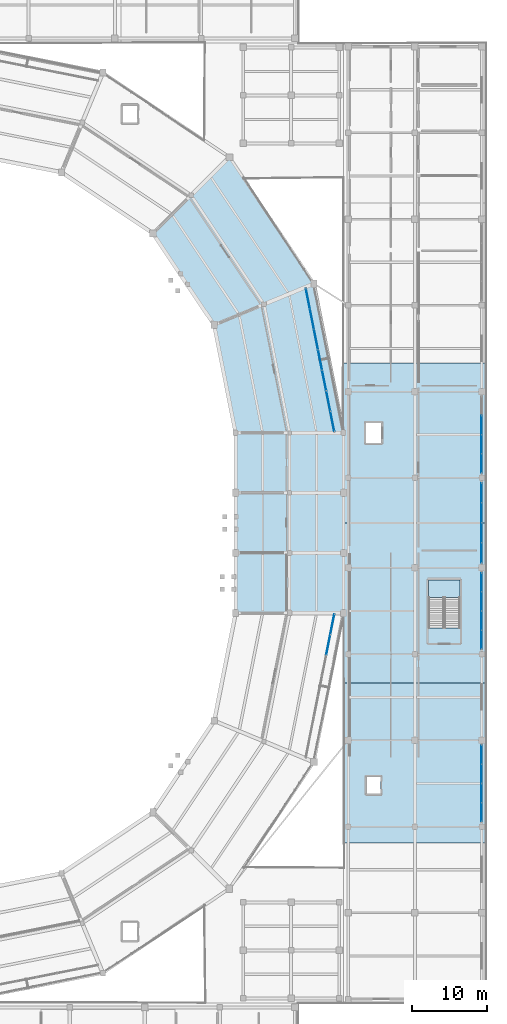
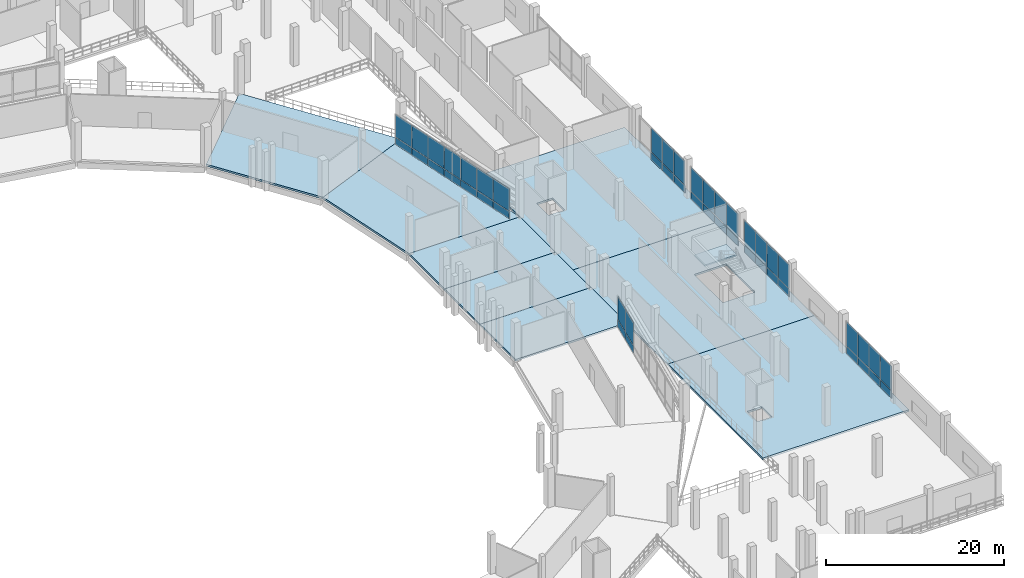
# One storey, part 66 of 114: 48 plates, 9 slabs, 7 elements without a shape of their own.
"""IFC4 building model written with IfcOpenShell, lengths in metres."""

from ifc_helpers import new_model, si_unit, direction, frame, origin, origin_2d, place, context, subcontext, project, spatial, polyline, rectangle, outline, extrude, material, layer, layer_set, type_object, element, aggregate, save


model = new_model("IFC4")

# Units and contexts
model_context = context("Model", 3, precision=1e-05, world=origin(), true_north=direction((0.0, 1.0)))
body_context = subcontext(model_context, "Body", "Model", "MODEL_VIEW")
ifc_project = project(units=[si_unit("LENGTHUNIT", "METRE"), si_unit("AREAUNIT", "SQUARE_METRE"), si_unit("VOLUMEUNIT", "CUBIC_METRE"), si_unit("PLANEANGLEUNIT", "RADIAN"), si_unit("MASSUNIT", "GRAM", prefix="KILO")], contexts=[model_context])

# Site, building, storey
site_placement = place(None, origin())
site = spatial("IfcSite", under=ifc_project, at=site_placement, CompositionType="ELEMENT")
building_placement = place(site_placement, origin())
building = spatial("IfcBuilding", under=site, at=building_placement, Name="Candeia Ridge Stadium", CompositionType="ELEMENT")
storey_placement = place(building_placement, frame((0.0, 0.0, 5.39990234375)))
storey = spatial("IfcBuildingStorey", under=building, at=storey_placement, Name="L01", CompositionType="ELEMENT", Elevation=5.39990234375)

# Slabs
ifc_material_1 = material(Name="Concrete C40/50", Category="concrete")
ifc_layer_1 = layer(ifc_material_1, 0.260009765625, Name="Concrete C40/50", Category="concrete")
ifc_layer_set_1 = layer_set([ifc_layer_1], Name="Concrete C40/50")
slab_type_1 = type_object("IfcSlabType", Name="Concourse Structural Slab 260", PredefinedType="FLOOR", material=ifc_layer_set_1)
slab_1_placement = place(storey_placement, frame((0.0, 0.0, -0.260009765625)))
element("IfcSlab", 1, at=slab_1_placement, inside=storey, type_object=slab_type_1, Name="Bowl concourse sector slab L01 bay 30 SLB-L01-0066", PredefinedType="FLOOR", context=body_context, shape_type="SweptSolid", body=[
    extrude(outline(polyline([(178.60009765625, 79.0), (193.0, 79.0), (193.0, 71.0), (178.60009765625, 71.0), (178.60009765625, 79.0)])), origin(), (0.0, 0.0, 1.0), 0.260009765625),
])
slab_2_placement = place(storey_placement, frame((0.0, 0.0, -0.260009765625)))
element("IfcSlab", 2, at=slab_2_placement, inside=storey, type_object=slab_type_1, Name="Bowl concourse sector slab L01 bay 31 SLB-L01-0067", PredefinedType="FLOOR", context=body_context, shape_type="SweptSolid", body=[
    extrude(outline(polyline([(178.60009765625, 87.0), (193.0, 87.0), (193.0, 79.0), (178.60009765625, 79.0), (178.60009765625, 87.0)])), origin(), (0.0, 0.0, 1.0), 0.260009765625),
])
slab_3_placement = place(storey_placement, frame((0.0, 0.0, -0.260009765625)))
element("IfcSlab", 3, at=slab_3_placement, inside=storey, type_object=slab_type_1, Name="Bowl concourse sector slab L01 bay 32 SLB-L01-0068", PredefinedType="FLOOR", context=body_context, shape_type="SweptSolid", body=[
    extrude(outline(polyline([(178.60009765625, 95.0), (193.0, 95.0), (193.0, 87.0), (178.60009765625, 87.0), (178.60009765625, 95.0)])), origin(), (0.0, 0.0, 1.0), 0.260009765625),
])
slab_4_placement = place(storey_placement, frame((0.0, 0.0, -0.260009765625)))
element("IfcSlab", 4, at=slab_4_placement, inside=storey, type_object=slab_type_1, Name="Bowl concourse sector slab L01 bay 33 SLB-L01-0069", PredefinedType="FLOOR", context=body_context, shape_type="SweptSolid", body=[
    extrude(outline(polyline([(175.73779296875, 109.388916015625), (189.041748046875, 114.8994140625), (193.0, 95.0), (178.60009765625, 95.0), (175.73779296875, 109.388916015625)])), origin(), (0.0, 0.0, 1.0), 0.260009765625),
])
slab_5_placement = place(storey_placement, frame((0.0, 0.0, -0.260009765625)))
element("IfcSlab", 5, at=slab_5_placement, inside=storey, type_object=slab_type_1, Name="Bowl concourse sector slab L01 bay 34 SLB-L01-0070", PredefinedType="FLOOR", context=body_context, shape_type="SweptSolid", body=[
    extrude(outline(polyline([(167.587158203125, 121.587158203125), (177.76953125, 131.76953125), (189.041748046875, 114.8994140625), (175.73779296875, 109.388916015625), (167.587158203125, 121.587158203125)])), origin(), (0.0, 0.0, 1.0), 0.260009765625),
])
slab_6_placement = place(storey_placement, frame((0.0, 0.0, -0.260009765625)))
element("IfcSlab", 6, at=slab_6_placement, inside=storey, type_object=slab_type_1, Name="Wing floor slab east SLB-L01-0219", PredefinedType="FLOOR", context=body_context, shape_type="SweptSolid", body=[
    extrude(outline(polyline([(193.0, 40.333251953125), (193.0, 61.666748046875), (212.0, 61.666748046875), (212.0, 40.333251953125), (193.0, 40.333251953125)]), holes=[polyline([(197.949951171875, 46.85009765625), (197.949951171875, 49.14990234375), (196.050048828125, 49.14990234375), (196.050048828125, 46.85009765625), (197.949951171875, 46.85009765625)])]), origin(), (0.0, 0.0, 1.0), 0.260009765625),
])
slab_7_placement = place(storey_placement, frame((0.0, 0.0, -0.260009765625)))
element("IfcSlab", 7, at=slab_7_placement, inside=storey, type_object=slab_type_1, Name="Wing floor slab east SLB-L01-0220", PredefinedType="FLOOR", context=body_context, shape_type="SweptSolid", body=[
    extrude(outline(polyline([(193.0, 61.666748046875), (193.0, 83.0), (212.0, 83.0), (212.0, 61.666748046875), (193.0, 61.666748046875)]), holes=[polyline([(208.5, 69.00048828125), (208.5, 75.39990234375), (204.35009765625, 75.39990234375), (204.35009765625, 69.00048828125), (208.5, 69.00048828125)])]), origin(), (0.0, 0.0, 1.0), 0.260009765625),
])
slab_8_placement = place(storey_placement, frame((0.0, 0.0, -0.260009765625)))
element("IfcSlab", 8, at=slab_8_placement, inside=storey, type_object=slab_type_1, Name="Wing floor slab east SLB-L01-0221", PredefinedType="FLOOR", context=body_context, shape_type="SweptSolid", body=[
    extrude(outline(polyline([(193.0, 83.0), (193.0, 104.333251953125), (212.0, 104.333251953125), (212.0, 83.0), (193.0, 83.0)]), holes=[polyline([(198.050048828125, 93.64990234375), (198.050048828125, 96.35009765625), (195.949951171875, 96.35009765625), (195.949951171875, 93.64990234375), (198.050048828125, 93.64990234375)])]), origin(), (0.0, 0.0, 1.0), 0.260009765625),
])

# Stair, slab
stair_type = type_object("IfcStairType", Name="Enclosed Wing Half-Turn Stair 2000", PredefinedType="HALF_TURN_STAIR", material=ifc_material_1)
stair_placement = place(storey_placement, origin())
stair = element("IfcStair", 9, at=stair_placement, inside=storey, type_object=stair_type, Name="L01 Enclosed exit stair ST16", PredefinedType="HALF_TURN_STAIR")
ifc_layer_2 = layer(ifc_material_1, 0.199951171875, Name="Concrete C40/50", Category="concrete")
ifc_layer_set_2 = layer_set([ifc_layer_2], Name="Concrete C40/50")
slab_type_2 = type_object("IfcSlabType", Name="Core Stair Landing Slab 200", PredefinedType="LANDING", material=ifc_layer_set_2)
slab_9_placement = place(storey_placement, frame((0.0, 0.0, 2.5)))
slab_9 = element("IfcSlab", 10, at=slab_9_placement, type_object=slab_type_2, Name="ST16 landing 1", PredefinedType="LANDING", context=body_context, shape_type="SweptSolid", body=[
    extrude(outline(polyline([(208.5, 73.06005859375), (208.5, 75.39990234375), (204.35009765625, 75.39990234375), (204.35009765625, 73.06005859375), (208.5, 73.06005859375)])), origin(), (0.0, 0.0, 1.0), 0.2001953125),
])
aggregate(stair, [slab_9])

# Curtain wall, plates
ifc_material_2 = material(Name="Aluminium Anodized Warm Bronze", Category="aluminium")
curtain_wall_type_1 = type_object("IfcCurtainWallType", Name="Cardinal Entrance Gate Tall Glazed Curtain Wall", PredefinedType="NOTDEFINED", material=ifc_material_2)
curtain_wall_1_placement = place(storey_placement, origin())
curtain_wall_1 = element("IfcCurtainWall", 11, at=curtain_wall_1_placement, inside=storey, type_object=curtain_wall_type_1, Name="Unitised curtain wall CW-WNG-L01-101", PredefinedType="NOTDEFINED")
ifc_material_3 = material(Name="Laminated Acoustic Glazing", Category="glass")
ifc_layer_3 = layer(ifc_material_3, 0.035888671875, Name="Laminated Acoustic Glazing", Category="glass")
ifc_layer_set_3 = layer_set([ifc_layer_3], Name="Laminated Acoustic Glazing")
plate_type_1 = type_object("IfcPlateType", Name="Gate Tall Laminated Glass Panel GP3", PredefinedType="CURTAIN_PANEL", material=ifc_layer_set_3)
plate_1_placement = place(storey_placement, frame((211.39990234375, 44.4326171875, 1.14013671875), z_axis=(0.0, 0.0, 1.0), x_axis=(0.0, 1.0, 0.0)))
plate_1 = element("IfcPlate", 12, at=plate_1_placement, type_object=plate_type_1, Name="Curtain wall vision glass panel CW-WNG-L01-101-GP0", PredefinedType="CURTAIN_PANEL", context=body_context, shape_type="SweptSolid", body=[
    extrude(rectangle(XDim=2.47509765625, YDim=0.035888671875, at=origin_2d()), origin(), (0.0, 0.0, 1.0), 3.294921875),
])
plate_2_placement = place(storey_placement, frame((211.39990234375, 46.9775390625, 1.14013671875), z_axis=(0.0, 0.0, 1.0), x_axis=(0.0, 1.0, 0.0)))
plate_2 = element("IfcPlate", 13, at=plate_2_placement, type_object=plate_type_1, Name="Curtain wall vision glass panel CW-WNG-L01-101-GP1", PredefinedType="CURTAIN_PANEL", context=body_context, shape_type="SweptSolid", body=[
    extrude(rectangle(XDim=2.47509765625, YDim=0.035888671875, at=origin_2d()), origin(), (0.0, 0.0, 1.0), 3.294921875),
])
plate_3_placement = place(storey_placement, frame((211.39990234375, 49.5224609375, 1.14013671875), z_axis=(0.0, 0.0, 1.0), x_axis=(0.0, 1.0, 0.0)))
plate_3 = element("IfcPlate", 14, at=plate_3_placement, type_object=plate_type_1, Name="Curtain wall vision glass panel CW-WNG-L01-101-GP2", PredefinedType="CURTAIN_PANEL", context=body_context, shape_type="SweptSolid", body=[
    extrude(rectangle(XDim=2.47509765625, YDim=0.035888671875, at=origin_2d()), origin(), (0.0, 0.0, 1.0), 3.294921875),
])
plate_4_placement = place(storey_placement, frame((211.39990234375, 52.0673828125, 1.14013671875), z_axis=(0.0, 0.0, 1.0), x_axis=(0.0, 1.0, 0.0)))
plate_4 = element("IfcPlate", 15, at=plate_4_placement, type_object=plate_type_1, Name="Curtain wall vision glass panel CW-WNG-L01-101-GP3", PredefinedType="CURTAIN_PANEL", context=body_context, shape_type="SweptSolid", body=[
    extrude(rectangle(XDim=2.47509765625, YDim=0.035888671875, at=origin_2d()), origin(), (0.0, 0.0, 1.0), 3.294921875),
])

curtain_wall_2_placement = place(storey_placement, origin())
curtain_wall_2 = element("IfcCurtainWall", 16, at=curtain_wall_2_placement, inside=storey, type_object=curtain_wall_type_1, Name="Unitised curtain wall CW-WNG-L01-102", PredefinedType="NOTDEFINED")
plate_5_placement = place(storey_placement, frame((211.39990234375, 67.4326171875, 1.14013671875), z_axis=(0.0, 0.0, 1.0), x_axis=(0.0, 1.0, 0.0)))
plate_5 = element("IfcPlate", 17, at=plate_5_placement, type_object=plate_type_1, Name="Curtain wall vision glass panel CW-WNG-L01-102-GP0", PredefinedType="CURTAIN_PANEL", context=body_context, shape_type="SweptSolid", body=[
    extrude(rectangle(XDim=2.47509765625, YDim=0.035888671875, at=origin_2d()), origin(), (0.0, 0.0, 1.0), 3.294921875),
])
plate_6_placement = place(storey_placement, frame((211.39990234375, 69.9775390625, 1.14013671875), z_axis=(0.0, 0.0, 1.0), x_axis=(0.0, 1.0, 0.0)))
plate_6 = element("IfcPlate", 18, at=plate_6_placement, type_object=plate_type_1, Name="Curtain wall vision glass panel CW-WNG-L01-102-GP1", PredefinedType="CURTAIN_PANEL", context=body_context, shape_type="SweptSolid", body=[
    extrude(rectangle(XDim=2.47509765625, YDim=0.035888671875, at=origin_2d()), origin(), (0.0, 0.0, 1.0), 3.294921875),
])
plate_7_placement = place(storey_placement, frame((211.39990234375, 72.5224609375, 1.14013671875), z_axis=(0.0, 0.0, 1.0), x_axis=(0.0, 1.0, 0.0)))
plate_7 = element("IfcPlate", 19, at=plate_7_placement, type_object=plate_type_1, Name="Curtain wall vision glass panel CW-WNG-L01-102-GP2", PredefinedType="CURTAIN_PANEL", context=body_context, shape_type="SweptSolid", body=[
    extrude(rectangle(XDim=2.47509765625, YDim=0.035888671875, at=origin_2d()), origin(), (0.0, 0.0, 1.0), 3.294921875),
])
plate_8_placement = place(storey_placement, frame((211.39990234375, 75.0673828125, 1.14013671875), z_axis=(0.0, 0.0, 1.0), x_axis=(0.0, 1.0, 0.0)))
plate_8 = element("IfcPlate", 20, at=plate_8_placement, type_object=plate_type_1, Name="Curtain wall vision glass panel CW-WNG-L01-102-GP3", PredefinedType="CURTAIN_PANEL", context=body_context, shape_type="SweptSolid", body=[
    extrude(rectangle(XDim=2.47509765625, YDim=0.035888671875, at=origin_2d()), origin(), (0.0, 0.0, 1.0), 3.294921875),
])

curtain_wall_3_placement = place(storey_placement, origin())
curtain_wall_3 = element("IfcCurtainWall", 21, at=curtain_wall_3_placement, inside=storey, type_object=curtain_wall_type_1, Name="Unitised curtain wall CW-WNG-L01-103", PredefinedType="NOTDEFINED")
plate_9_placement = place(storey_placement, frame((211.39990234375, 78.9951171875, 1.14013671875), z_axis=(0.0, 0.0, 1.0), x_axis=(0.0, 1.0, 0.0)))
plate_9 = element("IfcPlate", 22, at=plate_9_placement, type_object=plate_type_1, Name="Curtain wall vision glass panel CW-WNG-L01-103-GP0", PredefinedType="CURTAIN_PANEL", context=body_context, shape_type="SweptSolid", body=[
    extrude(rectangle(XDim=2.60009765625, YDim=0.035888671875, at=origin_2d()), origin(), (0.0, 0.0, 1.0), 3.294921875),
])
plate_10_placement = place(storey_placement, frame((211.39990234375, 81.6650390625, 1.14013671875), z_axis=(0.0, 0.0, 1.0), x_axis=(0.0, 1.0, 0.0)))
plate_10 = element("IfcPlate", 23, at=plate_10_placement, type_object=plate_type_1, Name="Curtain wall vision glass panel CW-WNG-L01-103-GP1", PredefinedType="CURTAIN_PANEL", context=body_context, shape_type="SweptSolid", body=[
    extrude(rectangle(XDim=2.60009765625, YDim=0.035888671875, at=origin_2d()), origin(), (0.0, 0.0, 1.0), 3.294921875),
])
plate_11_placement = place(storey_placement, frame((211.39990234375, 84.3349609375, 1.14013671875), z_axis=(0.0, 0.0, 1.0), x_axis=(0.0, 1.0, 0.0)))
plate_11 = element("IfcPlate", 24, at=plate_11_placement, type_object=plate_type_1, Name="Curtain wall vision glass panel CW-WNG-L01-103-GP2", PredefinedType="CURTAIN_PANEL", context=body_context, shape_type="SweptSolid", body=[
    extrude(rectangle(XDim=2.60009765625, YDim=0.035888671875, at=origin_2d()), origin(), (0.0, 0.0, 1.0), 3.294921875),
])
plate_12_placement = place(storey_placement, frame((211.39990234375, 87.0048828125, 1.14013671875), z_axis=(0.0, 0.0, 1.0), x_axis=(0.0, 1.0, 0.0)))
plate_12 = element("IfcPlate", 25, at=plate_12_placement, type_object=plate_type_1, Name="Curtain wall vision glass panel CW-WNG-L01-103-GP3", PredefinedType="CURTAIN_PANEL", context=body_context, shape_type="SweptSolid", body=[
    extrude(rectangle(XDim=2.60009765625, YDim=0.035888671875, at=origin_2d()), origin(), (0.0, 0.0, 1.0), 3.294921875),
])

curtain_wall_4_placement = place(storey_placement, origin())
curtain_wall_4 = element("IfcCurtainWall", 26, at=curtain_wall_4_placement, inside=storey, type_object=curtain_wall_type_1, Name="Unitised curtain wall CW-WNG-L01-104", PredefinedType="NOTDEFINED")
plate_13_placement = place(storey_placement, frame((211.39990234375, 90.9326171875, 1.14013671875), z_axis=(0.0, 0.0, 1.0), x_axis=(0.0, 1.0, 0.0)))
plate_13 = element("IfcPlate", 27, at=plate_13_placement, type_object=plate_type_1, Name="Curtain wall vision glass panel CW-WNG-L01-104-GP0", PredefinedType="CURTAIN_PANEL", context=body_context, shape_type="SweptSolid", body=[
    extrude(rectangle(XDim=2.47509765625, YDim=0.035888671875, at=origin_2d()), origin(), (0.0, 0.0, 1.0), 3.294921875),
])
plate_14_placement = place(storey_placement, frame((211.39990234375, 93.4775390625, 1.14013671875), z_axis=(0.0, 0.0, 1.0), x_axis=(0.0, 1.0, 0.0)))
plate_14 = element("IfcPlate", 28, at=plate_14_placement, type_object=plate_type_1, Name="Curtain wall vision glass panel CW-WNG-L01-104-GP1", PredefinedType="CURTAIN_PANEL", context=body_context, shape_type="SweptSolid", body=[
    extrude(rectangle(XDim=2.47509765625, YDim=0.035888671875, at=origin_2d()), origin(), (0.0, 0.0, 1.0), 3.294921875),
])
plate_15_placement = place(storey_placement, frame((211.39990234375, 96.0224609375, 1.14013671875), z_axis=(0.0, 0.0, 1.0), x_axis=(0.0, 1.0, 0.0)))
plate_15 = element("IfcPlate", 29, at=plate_15_placement, type_object=plate_type_1, Name="Curtain wall vision glass panel CW-WNG-L01-104-GP2", PredefinedType="CURTAIN_PANEL", context=body_context, shape_type="SweptSolid", body=[
    extrude(rectangle(XDim=2.47509765625, YDim=0.035888671875, at=origin_2d()), origin(), (0.0, 0.0, 1.0), 3.294921875),
])

curtain_wall_type_2 = type_object("IfcCurtainWallType", Name="Concourse Recessed Unitised Curtain Wall", PredefinedType="NOTDEFINED", material=ifc_material_2)
curtain_wall_5_placement = place(storey_placement, origin())
curtain_wall_5 = element("IfcCurtainWall", 30, at=curtain_wall_5_placement, inside=storey, type_object=curtain_wall_type_2, Name="Unitised curtain wall CW-BWL-L01-28", PredefinedType="NOTDEFINED")
ifc_material_4 = material(Name="Aluminium Insulated Spandrel", Category="aluminium")
ifc_layer_4 = layer(ifc_material_4, 0.06494140625, Name="Aluminium Insulated Spandrel", Category="aluminium")
ifc_layer_set_4 = layer_set([ifc_layer_4], Name="Aluminium Insulated Spandrel")
plate_type_2 = type_object("IfcPlateType", Name="Insulated Bronze Spandrel Panel SP2", PredefinedType="CURTAIN_PANEL", material=ifc_layer_set_4)
plate_16_placement = place(storey_placement, frame((190.951416015625, 66.7333984375, 0.0400390625), z_axis=(0.0, 0.0, 1.0), x_axis=(0.195090320544, 0.980785280696, 0.0)))
plate_16 = element("IfcPlate", 31, at=plate_16_placement, type_object=plate_type_2, Name="Curtain wall spandrel panel CW-BWL-L01-28-SP5", PredefinedType="CURTAIN_PANEL", context=body_context, shape_type="SweptSolid", body=[
    extrude(rectangle(XDim=2.710205078125, YDim=0.06494140625, at=origin_2d()), origin(), (0.0, 0.0, 1.0), 0.981201171875),
])
plate_17_placement = place(storey_placement, frame((191.49365234375, 69.460205078125, 0.0400390625), z_axis=(0.0, 0.0, 1.0), x_axis=(0.195090320544, 0.980785280696, 0.0)))
plate_17 = element("IfcPlate", 32, at=plate_17_placement, type_object=plate_type_2, Name="Curtain wall spandrel panel CW-BWL-L01-28-SP6", PredefinedType="CURTAIN_PANEL", context=body_context, shape_type="SweptSolid", body=[
    extrude(rectangle(XDim=2.710205078125, YDim=0.06494140625, at=origin_2d()), origin(), (0.0, 0.0, 1.0), 0.981201171875),
])

curtain_wall_6_placement = place(storey_placement, origin())
curtain_wall_6 = element("IfcCurtainWall", 33, at=curtain_wall_6_placement, inside=storey, type_object=curtain_wall_type_2, Name="Unitised curtain wall CW-BWL-L01-32", PredefinedType="NOTDEFINED")
plate_18_placement = place(storey_placement, frame((191.49365234375, 96.539794921875, 0.0400390625), z_axis=(0.0, 0.0, 1.0), x_axis=(-0.195090320544, 0.980785280696, 0.0)))
plate_18 = element("IfcPlate", 34, at=plate_18_placement, type_object=plate_type_2, Name="Curtain wall spandrel panel CW-BWL-L01-32-SP0", PredefinedType="CURTAIN_PANEL", context=body_context, shape_type="SweptSolid", body=[
    extrude(rectangle(XDim=2.710205078125, YDim=0.06494140625, at=origin_2d()), origin(), (0.0, 0.0, 1.0), 0.97119140625),
])
plate_19_placement = place(storey_placement, frame((190.951416015625, 99.2666015625, 0.0400390625), z_axis=(0.0, 0.0, 1.0), x_axis=(-0.195090320544, 0.980785280696, 0.0)))
plate_19 = element("IfcPlate", 35, at=plate_19_placement, type_object=plate_type_2, Name="Curtain wall spandrel panel CW-BWL-L01-32-SP1", PredefinedType="CURTAIN_PANEL", context=body_context, shape_type="SweptSolid", body=[
    extrude(rectangle(XDim=2.710205078125, YDim=0.06494140625, at=origin_2d()), origin(), (0.0, 0.0, 1.0), 0.97119140625),
])
plate_20_placement = place(storey_placement, frame((190.408935546875, 101.993408203125, 0.0400390625), z_axis=(0.0, 0.0, 1.0), x_axis=(-0.195090320544, 0.980785280696, 0.0)))
plate_20 = element("IfcPlate", 36, at=plate_20_placement, type_object=plate_type_2, Name="Curtain wall spandrel panel CW-BWL-L01-32-SP2", PredefinedType="CURTAIN_PANEL", context=body_context, shape_type="SweptSolid", body=[
    extrude(rectangle(XDim=2.710205078125, YDim=0.06494140625, at=origin_2d()), origin(), (0.0, 0.0, 1.0), 0.97119140625),
])
plate_21_placement = place(storey_placement, frame((189.86669921875, 104.72021484375, 0.0400390625), z_axis=(0.0, 0.0, 1.0), x_axis=(-0.195090320544, 0.980785280696, 0.0)))
plate_21 = element("IfcPlate", 37, at=plate_21_placement, type_object=plate_type_2, Name="Curtain wall spandrel panel CW-BWL-L01-32-SP3", PredefinedType="CURTAIN_PANEL", context=body_context, shape_type="SweptSolid", body=[
    extrude(rectangle(XDim=2.710205078125, YDim=0.06494140625, at=origin_2d()), origin(), (0.0, 0.0, 1.0), 0.97119140625),
])
plate_22_placement = place(storey_placement, frame((189.32421875, 107.447021484375, 0.0400390625), z_axis=(0.0, 0.0, 1.0), x_axis=(-0.195090320544, 0.980785280696, 0.0)))
plate_22 = element("IfcPlate", 38, at=plate_22_placement, type_object=plate_type_2, Name="Curtain wall spandrel panel CW-BWL-L01-32-SP4", PredefinedType="CURTAIN_PANEL", context=body_context, shape_type="SweptSolid", body=[
    extrude(rectangle(XDim=2.710205078125, YDim=0.06494140625, at=origin_2d()), origin(), (0.0, 0.0, 1.0), 0.97119140625),
])
plate_23_placement = place(storey_placement, frame((188.78173828125, 110.173583984375, 0.0400390625), z_axis=(0.0, 0.0, 1.0), x_axis=(-0.195090320544, 0.980785280696, 0.0)))
plate_23 = element("IfcPlate", 39, at=plate_23_placement, type_object=plate_type_2, Name="Curtain wall spandrel panel CW-BWL-L01-32-SP5", PredefinedType="CURTAIN_PANEL", context=body_context, shape_type="SweptSolid", body=[
    extrude(rectangle(XDim=2.710205078125, YDim=0.06494140625, at=origin_2d()), origin(), (0.0, 0.0, 1.0), 0.97119140625),
])
plate_24_placement = place(storey_placement, frame((188.239501953125, 112.900390625, 0.0400390625), z_axis=(0.0, 0.0, 1.0), x_axis=(-0.195090320544, 0.980785280696, 0.0)))
plate_24 = element("IfcPlate", 40, at=plate_24_placement, type_object=plate_type_2, Name="Curtain wall spandrel panel CW-BWL-L01-32-SP6", PredefinedType="CURTAIN_PANEL", context=body_context, shape_type="SweptSolid", body=[
    extrude(rectangle(XDim=2.710205078125, YDim=0.06494140625, at=origin_2d()), origin(), (0.0, 0.0, 1.0), 0.97119140625),
])

# Plate
ifc_layer_5 = layer(ifc_material_4, 0.06494140625, Name="Aluminium Insulated Spandrel", Category="aluminium")
ifc_layer_set_5 = layer_set([ifc_layer_5], Name="Aluminium Insulated Spandrel")
plate_type_3 = type_object("IfcPlateType", Name="Insulated Cedar-Tone Spandrel Panel SP3", PredefinedType="CURTAIN_PANEL", material=ifc_layer_set_5)
plate_25_placement = place(storey_placement, frame((211.39990234375, 44.4326171875, 0.0400390625), z_axis=(0.0, 0.0, 1.0), x_axis=(0.0, 1.0, 0.0)))
plate_25 = element("IfcPlate", 41, at=plate_25_placement, type_object=plate_type_3, Name="Curtain wall spandrel panel CW-WNG-L01-101-SP0", PredefinedType="CURTAIN_PANEL", context=body_context, shape_type="SweptSolid", body=[
    extrude(rectangle(XDim=2.47509765625, YDim=0.06494140625, at=origin_2d()), origin(), (0.0, 0.0, 1.0), 1.02001953125),
])

plate_26_placement = place(storey_placement, frame((211.39990234375, 46.9775390625, 0.0400390625), z_axis=(0.0, 0.0, 1.0), x_axis=(0.0, 1.0, 0.0)))
plate_26 = element("IfcPlate", 42, at=plate_26_placement, type_object=plate_type_3, Name="Curtain wall spandrel panel CW-WNG-L01-101-SP1", PredefinedType="CURTAIN_PANEL", context=body_context, shape_type="SweptSolid", body=[
    extrude(rectangle(XDim=2.47509765625, YDim=0.06494140625, at=origin_2d()), origin(), (0.0, 0.0, 1.0), 1.02001953125),
])

plate_27_placement = place(storey_placement, frame((211.39990234375, 49.5224609375, 0.0400390625), z_axis=(0.0, 0.0, 1.0), x_axis=(0.0, 1.0, 0.0)))
plate_27 = element("IfcPlate", 43, at=plate_27_placement, type_object=plate_type_3, Name="Curtain wall spandrel panel CW-WNG-L01-101-SP2", PredefinedType="CURTAIN_PANEL", context=body_context, shape_type="SweptSolid", body=[
    extrude(rectangle(XDim=2.47509765625, YDim=0.06494140625, at=origin_2d()), origin(), (0.0, 0.0, 1.0), 1.02001953125),
])

plate_28_placement = place(storey_placement, frame((211.39990234375, 52.0673828125, 0.0400390625), z_axis=(0.0, 0.0, 1.0), x_axis=(0.0, 1.0, 0.0)))
plate_28 = element("IfcPlate", 44, at=plate_28_placement, type_object=plate_type_3, Name="Curtain wall spandrel panel CW-WNG-L01-101-SP3", PredefinedType="CURTAIN_PANEL", context=body_context, shape_type="SweptSolid", body=[
    extrude(rectangle(XDim=2.47509765625, YDim=0.06494140625, at=origin_2d()), origin(), (0.0, 0.0, 1.0), 1.02001953125),
])

aggregate(curtain_wall_1, [plate_25, plate_1, plate_26, plate_2, plate_27, plate_3, plate_28, plate_4])

plate_29_placement = place(storey_placement, frame((211.39990234375, 67.4326171875, 0.0400390625), z_axis=(0.0, 0.0, 1.0), x_axis=(0.0, 1.0, 0.0)))
plate_29 = element("IfcPlate", 45, at=plate_29_placement, type_object=plate_type_3, Name="Curtain wall spandrel panel CW-WNG-L01-102-SP0", PredefinedType="CURTAIN_PANEL", context=body_context, shape_type="SweptSolid", body=[
    extrude(rectangle(XDim=2.47509765625, YDim=0.06494140625, at=origin_2d()), origin(), (0.0, 0.0, 1.0), 1.02001953125),
])

plate_30_placement = place(storey_placement, frame((211.39990234375, 69.9775390625, 0.0400390625), z_axis=(0.0, 0.0, 1.0), x_axis=(0.0, 1.0, 0.0)))
plate_30 = element("IfcPlate", 46, at=plate_30_placement, type_object=plate_type_3, Name="Curtain wall spandrel panel CW-WNG-L01-102-SP1", PredefinedType="CURTAIN_PANEL", context=body_context, shape_type="SweptSolid", body=[
    extrude(rectangle(XDim=2.47509765625, YDim=0.06494140625, at=origin_2d()), origin(), (0.0, 0.0, 1.0), 1.02001953125),
])

plate_31_placement = place(storey_placement, frame((211.39990234375, 72.5224609375, 0.0400390625), z_axis=(0.0, 0.0, 1.0), x_axis=(0.0, 1.0, 0.0)))
plate_31 = element("IfcPlate", 47, at=plate_31_placement, type_object=plate_type_3, Name="Curtain wall spandrel panel CW-WNG-L01-102-SP2", PredefinedType="CURTAIN_PANEL", context=body_context, shape_type="SweptSolid", body=[
    extrude(rectangle(XDim=2.47509765625, YDim=0.06494140625, at=origin_2d()), origin(), (0.0, 0.0, 1.0), 1.02001953125),
])

plate_32_placement = place(storey_placement, frame((211.39990234375, 75.0673828125, 0.0400390625), z_axis=(0.0, 0.0, 1.0), x_axis=(0.0, 1.0, 0.0)))
plate_32 = element("IfcPlate", 48, at=plate_32_placement, type_object=plate_type_3, Name="Curtain wall spandrel panel CW-WNG-L01-102-SP3", PredefinedType="CURTAIN_PANEL", context=body_context, shape_type="SweptSolid", body=[
    extrude(rectangle(XDim=2.47509765625, YDim=0.06494140625, at=origin_2d()), origin(), (0.0, 0.0, 1.0), 1.02001953125),
])

aggregate(curtain_wall_2, [plate_29, plate_5, plate_30, plate_6, plate_31, plate_7, plate_32, plate_8])

plate_33_placement = place(storey_placement, frame((211.39990234375, 78.9951171875, 0.0400390625), z_axis=(0.0, 0.0, 1.0), x_axis=(0.0, 1.0, 0.0)))
plate_33 = element("IfcPlate", 49, at=plate_33_placement, type_object=plate_type_3, Name="Curtain wall spandrel panel CW-WNG-L01-103-SP0", PredefinedType="CURTAIN_PANEL", context=body_context, shape_type="SweptSolid", body=[
    extrude(rectangle(XDim=2.60009765625, YDim=0.06494140625, at=origin_2d()), origin(), (0.0, 0.0, 1.0), 1.02001953125),
])

plate_34_placement = place(storey_placement, frame((211.39990234375, 81.6650390625, 0.0400390625), z_axis=(0.0, 0.0, 1.0), x_axis=(0.0, 1.0, 0.0)))
plate_34 = element("IfcPlate", 50, at=plate_34_placement, type_object=plate_type_3, Name="Curtain wall spandrel panel CW-WNG-L01-103-SP1", PredefinedType="CURTAIN_PANEL", context=body_context, shape_type="SweptSolid", body=[
    extrude(rectangle(XDim=2.60009765625, YDim=0.06494140625, at=origin_2d()), origin(), (0.0, 0.0, 1.0), 1.02001953125),
])

plate_35_placement = place(storey_placement, frame((211.39990234375, 84.3349609375, 0.0400390625), z_axis=(0.0, 0.0, 1.0), x_axis=(0.0, 1.0, 0.0)))
plate_35 = element("IfcPlate", 51, at=plate_35_placement, type_object=plate_type_3, Name="Curtain wall spandrel panel CW-WNG-L01-103-SP2", PredefinedType="CURTAIN_PANEL", context=body_context, shape_type="SweptSolid", body=[
    extrude(rectangle(XDim=2.60009765625, YDim=0.06494140625, at=origin_2d()), origin(), (0.0, 0.0, 1.0), 1.02001953125),
])

plate_36_placement = place(storey_placement, frame((211.39990234375, 87.0048828125, 0.0400390625), z_axis=(0.0, 0.0, 1.0), x_axis=(0.0, 1.0, 0.0)))
plate_36 = element("IfcPlate", 52, at=plate_36_placement, type_object=plate_type_3, Name="Curtain wall spandrel panel CW-WNG-L01-103-SP3", PredefinedType="CURTAIN_PANEL", context=body_context, shape_type="SweptSolid", body=[
    extrude(rectangle(XDim=2.60009765625, YDim=0.06494140625, at=origin_2d()), origin(), (0.0, 0.0, 1.0), 1.02001953125),
])

aggregate(curtain_wall_3, [plate_33, plate_9, plate_34, plate_10, plate_35, plate_11, plate_36, plate_12])

plate_37_placement = place(storey_placement, frame((211.39990234375, 90.9326171875, 0.0400390625), z_axis=(0.0, 0.0, 1.0), x_axis=(0.0, 1.0, 0.0)))
plate_37 = element("IfcPlate", 53, at=plate_37_placement, type_object=plate_type_3, Name="Curtain wall spandrel panel CW-WNG-L01-104-SP0", PredefinedType="CURTAIN_PANEL", context=body_context, shape_type="SweptSolid", body=[
    extrude(rectangle(XDim=2.47509765625, YDim=0.06494140625, at=origin_2d()), origin(), (0.0, 0.0, 1.0), 1.02001953125),
])

plate_38_placement = place(storey_placement, frame((211.39990234375, 93.4775390625, 0.0400390625), z_axis=(0.0, 0.0, 1.0), x_axis=(0.0, 1.0, 0.0)))
plate_38 = element("IfcPlate", 54, at=plate_38_placement, type_object=plate_type_3, Name="Curtain wall spandrel panel CW-WNG-L01-104-SP1", PredefinedType="CURTAIN_PANEL", context=body_context, shape_type="SweptSolid", body=[
    extrude(rectangle(XDim=2.47509765625, YDim=0.06494140625, at=origin_2d()), origin(), (0.0, 0.0, 1.0), 1.02001953125),
])

plate_39_placement = place(storey_placement, frame((211.39990234375, 96.0224609375, 0.0400390625), z_axis=(0.0, 0.0, 1.0), x_axis=(0.0, 1.0, 0.0)))
plate_39 = element("IfcPlate", 55, at=plate_39_placement, type_object=plate_type_3, Name="Curtain wall spandrel panel CW-WNG-L01-104-SP2", PredefinedType="CURTAIN_PANEL", context=body_context, shape_type="SweptSolid", body=[
    extrude(rectangle(XDim=2.47509765625, YDim=0.06494140625, at=origin_2d()), origin(), (0.0, 0.0, 1.0), 1.02001953125),
])

aggregate(curtain_wall_4, [plate_37, plate_13, plate_38, plate_14, plate_39, plate_15])

ifc_material_5 = material(Name="Tempered Low-E Double Glazing", Category="glass")
ifc_layer_6 = layer(ifc_material_5, 0.035888671875, Name="Tempered Low-E Double Glazing", Category="glass")
ifc_layer_set_6 = layer_set([ifc_layer_6], Name="Tempered Low-E Double Glazing")
plate_type_4 = type_object("IfcPlateType", Name="Solar Control Vision Glass Panel GP6", PredefinedType="CURTAIN_PANEL", material=ifc_layer_set_6)
plate_40_placement = place(storey_placement, frame((191.49365234375, 96.539794921875, 1.09130859375), z_axis=(0.0, 0.0, 1.0), x_axis=(-0.195090320544, 0.980785280696, 0.0)))
plate_40 = element("IfcPlate", 56, at=plate_40_placement, type_object=plate_type_4, Name="Curtain wall vision glass panel CW-BWL-L01-32-GP0", PredefinedType="CURTAIN_PANEL", context=body_context, shape_type="SweptSolid", body=[
    extrude(rectangle(XDim=2.710205078125, YDim=0.035888671875, at=origin_2d()), origin(), (0.0, 0.0, 1.0), 3.07373046875),
])

plate_41_placement = place(storey_placement, frame((190.951416015625, 99.2666015625, 1.09130859375), z_axis=(0.0, 0.0, 1.0), x_axis=(-0.195090320544, 0.980785280696, 0.0)))
plate_41 = element("IfcPlate", 57, at=plate_41_placement, type_object=plate_type_4, Name="Curtain wall vision glass panel CW-BWL-L01-32-GP1", PredefinedType="CURTAIN_PANEL", context=body_context, shape_type="SweptSolid", body=[
    extrude(rectangle(XDim=2.710205078125, YDim=0.035888671875, at=origin_2d()), origin(), (0.0, 0.0, 1.0), 3.07373046875),
])

plate_42_placement = place(storey_placement, frame((190.408935546875, 101.993408203125, 1.09130859375), z_axis=(0.0, 0.0, 1.0), x_axis=(-0.195090320544, 0.980785280696, 0.0)))
plate_42 = element("IfcPlate", 58, at=plate_42_placement, type_object=plate_type_4, Name="Curtain wall vision glass panel CW-BWL-L01-32-GP2", PredefinedType="CURTAIN_PANEL", context=body_context, shape_type="SweptSolid", body=[
    extrude(rectangle(XDim=2.710205078125, YDim=0.035888671875, at=origin_2d()), origin(), (0.0, 0.0, 1.0), 3.07373046875),
])

plate_43_placement = place(storey_placement, frame((189.86669921875, 104.72021484375, 1.09130859375), z_axis=(0.0, 0.0, 1.0), x_axis=(-0.195090320544, 0.980785280696, 0.0)))
plate_43 = element("IfcPlate", 59, at=plate_43_placement, type_object=plate_type_4, Name="Curtain wall vision glass panel CW-BWL-L01-32-GP3", PredefinedType="CURTAIN_PANEL", context=body_context, shape_type="SweptSolid", body=[
    extrude(rectangle(XDim=2.710205078125, YDim=0.035888671875, at=origin_2d()), origin(), (0.0, 0.0, 1.0), 3.07373046875),
])

plate_44_placement = place(storey_placement, frame((189.32421875, 107.447021484375, 1.09130859375), z_axis=(0.0, 0.0, 1.0), x_axis=(-0.195090320544, 0.980785280696, 0.0)))
plate_44 = element("IfcPlate", 60, at=plate_44_placement, type_object=plate_type_4, Name="Curtain wall vision glass panel CW-BWL-L01-32-GP4", PredefinedType="CURTAIN_PANEL", context=body_context, shape_type="SweptSolid", body=[
    extrude(rectangle(XDim=2.710205078125, YDim=0.035888671875, at=origin_2d()), origin(), (0.0, 0.0, 1.0), 3.07373046875),
])

plate_45_placement = place(storey_placement, frame((188.78173828125, 110.173583984375, 1.09130859375), z_axis=(0.0, 0.0, 1.0), x_axis=(-0.195090320544, 0.980785280696, 0.0)))
plate_45 = element("IfcPlate", 61, at=plate_45_placement, type_object=plate_type_4, Name="Curtain wall vision glass panel CW-BWL-L01-32-GP5", PredefinedType="CURTAIN_PANEL", context=body_context, shape_type="SweptSolid", body=[
    extrude(rectangle(XDim=2.710205078125, YDim=0.035888671875, at=origin_2d()), origin(), (0.0, 0.0, 1.0), 3.07373046875),
])

plate_46_placement = place(storey_placement, frame((188.239501953125, 112.900390625, 1.09130859375), z_axis=(0.0, 0.0, 1.0), x_axis=(-0.195090320544, 0.980785280696, 0.0)))
plate_46 = element("IfcPlate", 62, at=plate_46_placement, type_object=plate_type_4, Name="Curtain wall vision glass panel CW-BWL-L01-32-GP6", PredefinedType="CURTAIN_PANEL", context=body_context, shape_type="SweptSolid", body=[
    extrude(rectangle(XDim=2.710205078125, YDim=0.035888671875, at=origin_2d()), origin(), (0.0, 0.0, 1.0), 3.07373046875),
])

aggregate(curtain_wall_6, [plate_18, plate_40, plate_19, plate_41, plate_20, plate_42, plate_21, plate_43, plate_22, plate_44, plate_23, plate_45, plate_24, plate_46])

ifc_layer_7 = layer(ifc_material_5, 0.035888671875, Name="Tempered Low-E Double Glazing", Category="glass")
ifc_layer_set_7 = layer_set([ifc_layer_7], Name="Tempered Low-E Double Glazing")
plate_type_5 = type_object("IfcPlateType", Name="Solar Control Vision Glass Panel GP8", PredefinedType="CURTAIN_PANEL", material=ifc_layer_set_7)
plate_47_placement = place(storey_placement, frame((190.951416015625, 66.7333984375, 1.10107421875), z_axis=(0.0, 0.0, 1.0), x_axis=(0.195090320544, 0.980785280696, 0.0)))
plate_47 = element("IfcPlate", 63, at=plate_47_placement, type_object=plate_type_5, Name="Curtain wall vision glass panel CW-BWL-L01-28-GP5", PredefinedType="CURTAIN_PANEL", context=body_context, shape_type="SweptSolid", body=[
    extrude(rectangle(XDim=2.710205078125, YDim=0.035888671875, at=origin_2d()), origin(), (0.0, 0.0, 1.0), 3.103759765625),
])

plate_48_placement = place(storey_placement, frame((191.49365234375, 69.460205078125, 1.10107421875), z_axis=(0.0, 0.0, 1.0), x_axis=(0.195090320544, 0.980785280696, 0.0)))
plate_48 = element("IfcPlate", 64, at=plate_48_placement, type_object=plate_type_5, Name="Curtain wall vision glass panel CW-BWL-L01-28-GP6", PredefinedType="CURTAIN_PANEL", context=body_context, shape_type="SweptSolid", body=[
    extrude(rectangle(XDim=2.710205078125, YDim=0.035888671875, at=origin_2d()), origin(), (0.0, 0.0, 1.0), 3.103759765625),
])

aggregate(curtain_wall_5, [plate_16, plate_47, plate_17, plate_48])

save(model, "model.ifc")
